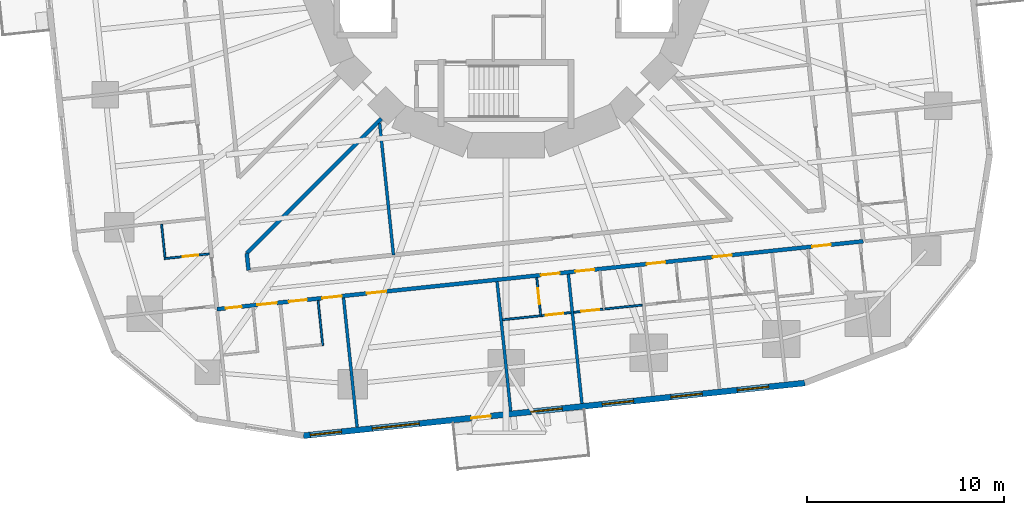
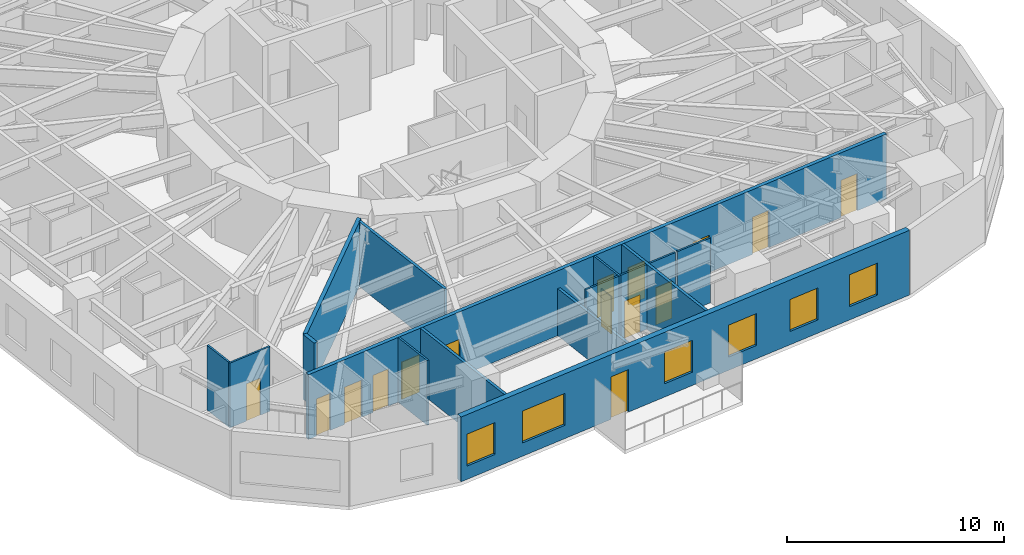
# One storey, part 5 of 13: 16 walls, 15 doors, 6 windows, 21 openings.
"""IFC4 building model written with IfcOpenShell, lengths in metres."""

from ifc_helpers import new_model, si_unit, direction, frame, frame_2d, origin, place, context, subcontext, project, spatial, rectangle, extrude, material, layer, layer_set, type_object, element, fill, save


model = new_model("IFC4")

# Units and contexts
model_context = context("Model", 3, precision=1e-05, world=origin(), true_north=direction((0.0, 1.0)))
body_context = subcontext(model_context, "Body", "Model", "MODEL_VIEW")
ifc_project = project(units=[si_unit("LENGTHUNIT", "METRE"), si_unit("AREAUNIT", "SQUARE_METRE"), si_unit("VOLUMEUNIT", "CUBIC_METRE"), si_unit("PLANEANGLEUNIT", "RADIAN"), si_unit("MASSUNIT", "GRAM", prefix="KILO")], contexts=[model_context])

# Site, building, storey
site_placement = place(None, origin())
site = spatial("IfcSite", under=ifc_project, at=site_placement, CompositionType="ELEMENT")
building_placement = place(site_placement, origin())
building = spatial("IfcBuilding", under=site, at=building_placement, Name="Nakasero Lantern House", CompositionType="ELEMENT")
storey_placement = place(building_placement, frame((0.0, 0.0, 75.89990234375)))
storey = spatial("IfcBuildingStorey", under=building, at=storey_placement, Name="L18", CompositionType="ELEMENT", Elevation=75.89990234375)

# Wall, openings, doors
ifc_material_1 = material(Name="Blockwork", Category="masonry")
ifc_layer_1 = layer(ifc_material_1, 0.199951171875)
ifc_layer_set_1 = layer_set([ifc_layer_1], Name="Corridor wall 200")
wall_type_1 = type_object("IfcWallType", Name="Corridor wall 200", PredefinedType="PARTITIONING", material=ifc_layer_set_1)
wall_1_placement = place(storey_placement, frame((-14.684814453125, -18.13427734375, 0.0), z_axis=(0.0, 0.0, 1.0), x_axis=(0.994521777723, 0.10452958258, 0.0)))
wall_1 = element("IfcWall", 1, at=wall_1_placement, inside=storey, type_object=wall_type_1, Name="Corridor wall L18 CW3", PredefinedType="PARTITIONING", context=body_context, shape_type="SweptSolid", body=[
    extrude(rectangle(XDim=32.999755859375, YDim=0.199951171875, at=frame_2d((16.5, 0.0))), origin(), (0.0, 0.0, 1.0), 3.650146484375),
])
opening_1_placement = place(wall_1_placement, frame((0.449951171875, 0.0, 0.0)))
opening_1 = element("IfcOpeningElement", 2, at=opening_1_placement, cuts=wall_1, Name="Opening D15", PredefinedType="OPENING", context=body_context, shape_type="SweptSolid", body=[
    extrude(rectangle(XDim=0.800048828125, YDim=2.10009765625, at=frame_2d((0.39990234375, 1.050048828125))), frame((0.0, 0.119873046875, 0.0), z_axis=(0.0, -1.0, 0.0), x_axis=(1.0, 0.0, 0.0)), (0.0, 0.0, 1.0), 0.239990234375),
])
opening_2_placement = place(wall_1_placement, frame((2.050048828125, 0.0, 0.0)))
opening_2 = element("IfcOpeningElement", 3, at=opening_2_placement, cuts=wall_1, Name="Opening D07", PredefinedType="OPENING", context=body_context, shape_type="SweptSolid", body=[
    extrude(rectangle(XDim=1.0, YDim=2.10009765625, at=frame_2d((0.5, 1.050048828125))), frame((0.0, 0.119873046875, 0.0), z_axis=(0.0, -1.0, 0.0), x_axis=(1.0, 0.0, 0.0)), (0.0, 0.0, 1.0), 0.239990234375),
])
opening_3_placement = place(wall_1_placement, frame((3.67529296875, 0.0, 0.0)))
opening_3 = element("IfcOpeningElement", 4, at=opening_3_placement, cuts=wall_1, Name="Opening D16", PredefinedType="OPENING", context=body_context, shape_type="SweptSolid", body=[
    extrude(rectangle(XDim=0.89990234375, YDim=2.10009765625, at=frame_2d((0.449951171875, 1.050048828125))), frame((0.0, 0.119873046875, 0.0), z_axis=(0.0, -1.0, 0.0), x_axis=(1.0, 0.0, 0.0)), (0.0, 0.0, 1.0), 0.239990234375),
])
opening_4_placement = place(wall_1_placement, frame((5.375244140625, 0.0, 0.0)))
opening_4 = element("IfcOpeningElement", 5, at=opening_4_placement, cuts=wall_1, Name="Opening D07", PredefinedType="OPENING", context=body_context, shape_type="SweptSolid", body=[
    extrude(rectangle(XDim=1.0, YDim=2.10009765625, at=frame_2d((0.5, 1.050048828125))), frame((0.0, 0.119873046875, 0.0), z_axis=(0.0, -1.0, 0.0), x_axis=(1.0, 0.0, 0.0)), (0.0, 0.0, 1.0), 0.239990234375),
])
opening_5_placement = place(wall_1_placement, frame((16.542724609375, 0.0, 0.0)))
opening_5 = element("IfcOpeningElement", 6, at=opening_5_placement, cuts=wall_1, Name="Opening D01", PredefinedType="OPENING", context=body_context, shape_type="SweptSolid", body=[
    extrude(rectangle(XDim=0.949951171875, YDim=2.10009765625, at=frame_2d((0.47509765625, 1.050048828125))), frame((0.0, 0.119873046875, 0.0), z_axis=(0.0, -1.0, 0.0), x_axis=(1.0, 0.0, 0.0)), (0.0, 0.0, 1.0), 0.239990234375),
])
opening_6_placement = place(wall_1_placement, frame((18.306396484375, 0.0, 0.0)))
opening_6 = element("IfcOpeningElement", 7, at=opening_6_placement, cuts=wall_1, Name="Opening D01", PredefinedType="OPENING", context=body_context, shape_type="SweptSolid", body=[
    extrude(rectangle(XDim=0.949951171875, YDim=2.10009765625, at=frame_2d((0.47509765625, 1.050048828125))), frame((0.0, 0.119873046875, 0.0), z_axis=(0.0, -1.0, 0.0), x_axis=(1.0, 0.0, 0.0)), (0.0, 0.0, 1.0), 0.239990234375),
])
opening_7_placement = place(wall_1_placement, frame((21.945068359375, 0.0, 0.0)))
opening_7 = element("IfcOpeningElement", 8, at=opening_7_placement, cuts=wall_1, Name="Opening D01", PredefinedType="OPENING", context=body_context, shape_type="SweptSolid", body=[
    extrude(rectangle(XDim=0.949951171875, YDim=2.10009765625, at=frame_2d((0.47509765625, 1.050048828125))), frame((0.0, 0.119873046875, 0.0), z_axis=(0.0, -1.0, 0.0), x_axis=(1.0, 0.0, 0.0)), (0.0, 0.0, 1.0), 0.239990234375),
])
opening_8_placement = place(wall_1_placement, frame((25.33056640625, 0.0, 0.0)))
opening_8 = element("IfcOpeningElement", 9, at=opening_8_placement, cuts=wall_1, Name="Opening D01", PredefinedType="OPENING", context=body_context, shape_type="SweptSolid", body=[
    extrude(rectangle(XDim=0.949951171875, YDim=2.10009765625, at=frame_2d((0.47509765625, 1.050048828125))), frame((0.0, 0.119873046875, 0.0), z_axis=(0.0, -1.0, 0.0), x_axis=(1.0, 0.0, 0.0)), (0.0, 0.0, 1.0), 0.239990234375),
])
opening_9_placement = place(wall_1_placement, frame((30.39111328125, 0.0, 0.0)))
opening_9 = element("IfcOpeningElement", 10, at=opening_9_placement, cuts=wall_1, Name="Opening D01", PredefinedType="OPENING", context=body_context, shape_type="SweptSolid", body=[
    extrude(rectangle(XDim=0.949951171875, YDim=2.10009765625, at=frame_2d((0.47509765625, 1.050048828125))), frame((0.0, 0.119873046875, 0.0), z_axis=(0.0, -1.0, 0.0), x_axis=(1.0, 0.0, 0.0)), (0.0, 0.0, 1.0), 0.239990234375),
])
opening_10_placement = place(wall_1_placement, frame((7.650634765625, 0.0, 0.0)))
opening_10 = element("IfcOpeningElement", 11, at=opening_10_placement, cuts=wall_1, Name="Opening D03", PredefinedType="OPENING", context=body_context, shape_type="SweptSolid", body=[
    extrude(rectangle(XDim=1.0, YDim=2.10009765625, at=frame_2d((0.5, 1.050048828125))), frame((0.0, 0.119873046875, 0.0), z_axis=(0.0, -1.0, 0.0), x_axis=(1.0, 0.0, 0.0)), (0.0, 0.0, 1.0), 0.239990234375),
])
ifc_material_2 = material(Name="Timber C24", Category="wood")
door_type_1 = type_object("IfcDoorType", Name="Accessible WC door 900", OperationType="SINGLE_SWING_RIGHT", PredefinedType="DOOR", material=ifc_material_2)
door_1_placement = place(opening_3_placement, origin())
door_1 = element("IfcDoor", 12, at=door_1_placement, inside=storey, type_object=door_type_1, Name="Door L18 DS3-01", OperationType="SINGLE_SWING_LEFT", OverallHeight=2.10009765625, OverallWidth=0.89990234375, PredefinedType="DOOR", context=body_context, shape_type="SweptSolid", body=[
    extrude(rectangle(XDim=0.89990234375, YDim=2.10009765625, at=frame_2d((0.449951171875, 1.050048828125))), frame((0.0, 0.02490234375, 0.0), z_axis=(0.0, -1.0, 0.0), x_axis=(1.0, 0.0, 0.0)), (0.0, 0.0, 1.0), 0.050048828125),
])
fill(opening_3, door_1)
ifc_material_3 = material(Name="Timber C24", Category="wood")
door_type_2 = type_object("IfcDoorType", Name="Bedroom door FD30S 950", OperationType="SINGLE_SWING_LEFT", PredefinedType="DOOR", material=ifc_material_3)
door_2_placement = place(opening_5_placement, origin())
door_2 = element("IfcDoor", 13, at=door_2_placement, inside=storey, type_object=door_type_2, Name="Door L18 D3-04", OperationType="SINGLE_SWING_RIGHT", OverallHeight=2.10009765625, OverallWidth=0.949951171875, PredefinedType="DOOR", context=body_context, shape_type="SweptSolid", body=[
    extrude(rectangle(XDim=0.949951171875, YDim=2.10009765625, at=frame_2d((0.47509765625, 1.050048828125))), frame((0.0, 0.02490234375, 0.0), z_axis=(0.0, -1.0, 0.0), x_axis=(1.0, 0.0, 0.0)), (0.0, 0.0, 1.0), 0.050048828125),
])
fill(opening_5, door_2)
door_3_placement = place(opening_6_placement, origin())
door_3 = element("IfcDoor", 14, at=door_3_placement, inside=storey, type_object=door_type_2, Name="Door L18 D3-05", OperationType="SINGLE_SWING_RIGHT", OverallHeight=2.10009765625, OverallWidth=0.949951171875, PredefinedType="DOOR", context=body_context, shape_type="SweptSolid", body=[
    extrude(rectangle(XDim=0.949951171875, YDim=2.10009765625, at=frame_2d((0.47509765625, 1.050048828125))), frame((0.0, 0.02490234375, 0.0), z_axis=(0.0, -1.0, 0.0), x_axis=(1.0, 0.0, 0.0)), (0.0, 0.0, 1.0), 0.050048828125),
])
fill(opening_6, door_3)
door_4_placement = place(opening_7_placement, origin())
door_4 = element("IfcDoor", 15, at=door_4_placement, inside=storey, type_object=door_type_2, Name="Door L18 D3-06", OperationType="SINGLE_SWING_RIGHT", OverallHeight=2.10009765625, OverallWidth=0.949951171875, PredefinedType="DOOR", context=body_context, shape_type="SweptSolid", body=[
    extrude(rectangle(XDim=0.949951171875, YDim=2.10009765625, at=frame_2d((0.47509765625, 1.050048828125))), frame((0.0, 0.02490234375, 0.0), z_axis=(0.0, -1.0, 0.0), x_axis=(1.0, 0.0, 0.0)), (0.0, 0.0, 1.0), 0.050048828125),
])
fill(opening_7, door_4)
door_5_placement = place(opening_8_placement, origin())
door_5 = element("IfcDoor", 16, at=door_5_placement, inside=storey, type_object=door_type_2, Name="Door L18 D3-07", OperationType="SINGLE_SWING_RIGHT", OverallHeight=2.10009765625, OverallWidth=0.949951171875, PredefinedType="DOOR", context=body_context, shape_type="SweptSolid", body=[
    extrude(rectangle(XDim=0.949951171875, YDim=2.10009765625, at=frame_2d((0.47509765625, 1.050048828125))), frame((0.0, 0.02490234375, 0.0), z_axis=(0.0, -1.0, 0.0), x_axis=(1.0, 0.0, 0.0)), (0.0, 0.0, 1.0), 0.050048828125),
])
fill(opening_8, door_5)
door_6_placement = place(opening_9_placement, origin())
door_6 = element("IfcDoor", 17, at=door_6_placement, inside=storey, type_object=door_type_2, Name="Door L18 D3-08", OperationType="SINGLE_SWING_RIGHT", OverallHeight=2.10009765625, OverallWidth=0.949951171875, PredefinedType="DOOR", context=body_context, shape_type="SweptSolid", body=[
    extrude(rectangle(XDim=0.949951171875, YDim=2.10009765625, at=frame_2d((0.47509765625, 1.050048828125))), frame((0.0, 0.02490234375, 0.0), z_axis=(0.0, -1.0, 0.0), x_axis=(1.0, 0.0, 0.0)), (0.0, 0.0, 1.0), 0.050048828125),
])
fill(opening_9, door_6)
ifc_material_4 = material(Name="Timber C24", Category="wood")
door_type_3 = type_object("IfcDoorType", Name="Cleaner's store door FD30S 800", OperationType="SINGLE_SWING_LEFT", PredefinedType="DOOR", material=ifc_material_4)
door_7_placement = place(opening_1_placement, origin())
door_7 = element("IfcDoor", 18, at=door_7_placement, inside=storey, type_object=door_type_3, Name="Door L18 DS3-00", OperationType="SINGLE_SWING_LEFT", OverallHeight=2.10009765625, OverallWidth=0.800048828125, PredefinedType="DOOR", context=body_context, shape_type="SweptSolid", body=[
    extrude(rectangle(XDim=0.800048828125, YDim=2.10009765625, at=frame_2d((0.39990234375, 1.050048828125))), frame((0.0, 0.02490234375, 0.0), z_axis=(0.0, -1.0, 0.0), x_axis=(1.0, 0.0, 0.0)), (0.0, 0.0, 1.0), 0.050048828125),
])
fill(opening_1, door_7)
ifc_material_5 = material(Name="Timber C24", Category="wood")
door_type_4 = type_object("IfcDoorType", Name="Lounge door FD30S 1000", OperationType="SINGLE_SWING_LEFT", PredefinedType="DOOR", material=ifc_material_5)
door_8_placement = place(opening_10_placement, origin())
door_8 = element("IfcDoor", 19, at=door_8_placement, inside=storey, type_object=door_type_4, Name="Door L18 DK3", OperationType="SINGLE_SWING_LEFT", OverallHeight=2.10009765625, OverallWidth=1.0, PredefinedType="DOOR", context=body_context, shape_type="SweptSolid", body=[
    extrude(rectangle(XDim=1.0, YDim=2.10009765625, at=frame_2d((0.5, 1.050048828125))), frame((0.0, 0.02490234375, 0.0), z_axis=(0.0, -1.0, 0.0), x_axis=(1.0, 0.0, 0.0)), (0.0, 0.0, 1.0), 0.050048828125),
])
fill(opening_10, door_8)
ifc_material_6 = material(Name="Timber C24", Category="wood")
door_type_5 = type_object("IfcDoorType", Name="Room door FD30S 1000", OperationType="SINGLE_SWING_LEFT", PredefinedType="DOOR", material=ifc_material_6)
door_9_placement = place(opening_2_placement, origin())
door_9 = element("IfcDoor", 20, at=door_9_placement, inside=storey, type_object=door_type_5, Name="Door L18 D3-00", OperationType="SINGLE_SWING_LEFT", OverallHeight=2.10009765625, OverallWidth=1.0, PredefinedType="DOOR", context=body_context, shape_type="SweptSolid", body=[
    extrude(rectangle(XDim=1.0, YDim=2.10009765625, at=frame_2d((0.5, 1.050048828125))), frame((0.0, 0.02490234375, 0.0), z_axis=(0.0, -1.0, 0.0), x_axis=(1.0, 0.0, 0.0)), (0.0, 0.0, 1.0), 0.050048828125),
])
fill(opening_2, door_9)
door_10_placement = place(opening_4_placement, origin())
door_10 = element("IfcDoor", 21, at=door_10_placement, inside=storey, type_object=door_type_5, Name="Door L18 D3-01", OperationType="SINGLE_SWING_LEFT", OverallHeight=2.10009765625, OverallWidth=1.0, PredefinedType="DOOR", context=body_context, shape_type="SweptSolid", body=[
    extrude(rectangle(XDim=1.0, YDim=2.10009765625, at=frame_2d((0.5, 1.050048828125))), frame((0.0, 0.02490234375, 0.0), z_axis=(0.0, -1.0, 0.0), x_axis=(1.0, 0.0, 0.0)), (0.0, 0.0, 1.0), 0.050048828125),
])
fill(opening_4, door_10)

# Walls
wall_2_placement = place(storey_placement, frame((-6.334228515625, -8.45556640625, 0.0), z_axis=(0.0, 0.0, 1.0), x_axis=(-0.707106781187, -0.707106781187, 0.0)))
element("IfcWall", 22, at=wall_2_placement, inside=storey, type_object=wall_type_1, Name="Corridor wall L18 PS10a", PredefinedType="PARTITIONING", context=body_context, shape_type="SweptSolid", body=[
    extrude(rectangle(XDim=9.671875, YDim=0.199951171875, at=frame_2d((4.8359375, 0.0))), origin(), (0.0, 0.0, 1.0), 3.650146484375),
])
wall_3_placement = place(storey_placement, frame((-13.0830078125, -16.156005859375, 0.0), z_axis=(0.0, 0.0, 1.0), x_axis=(-0.104303245505, 0.994545540927, 0.0)))
element("IfcWall", 23, at=wall_3_placement, inside=storey, type_object=wall_type_1, Name="Corridor wall L18 IW3-0R0", PredefinedType="PARTITIONING", context=body_context, shape_type="SweptSolid", body=[
    extrude(rectangle(XDim=0.865966796875, YDim=0.199951171875, at=frame_2d((0.43310546875, 0.0))), origin(), (0.0, 0.0, 1.0), 3.650146484375),
])

# Wall, opening, door
ifc_material_7 = material(Name="Blockwork", Category="masonry")
ifc_layer_2 = layer(ifc_material_7, 0.10009765625)
ifc_layer_set_2 = layer_set([ifc_layer_2], Name="En-suite wall 100")
wall_type_2 = type_object("IfcWallType", Name="En-suite wall 100", PredefinedType="PARTITIONING", material=ifc_layer_set_2)
wall_4_placement = place(storey_placement, frame((-15.08056640625, -15.326416015625, 0.0), z_axis=(0.0, 0.0, 1.0), x_axis=(-0.994518822602, -0.104557694553, 0.0)))
wall_4 = element("IfcWall", 24, at=wall_4_placement, inside=storey, type_object=wall_type_2, Name="En-suite wall L18 ES2-08", PredefinedType="PARTITIONING", context=body_context, shape_type="SweptSolid", body=[
    extrude(rectangle(XDim=2.300048828125, YDim=0.10009765625, at=frame_2d((1.14990234375, 0.0))), origin(), (0.0, 0.0, 1.0), 3.650146484375),
])
opening_11_placement = place(wall_4_placement, frame((0.550048828125, 0.0, 0.0)))
opening_11 = element("IfcOpeningElement", 25, at=opening_11_placement, cuts=wall_4, Name="Opening D02", PredefinedType="OPENING", context=body_context, shape_type="SweptSolid", body=[
    extrude(rectangle(XDim=0.800048828125, YDim=2.10009765625, at=frame_2d((0.39990234375, 1.050048828125))), frame((0.0, 0.070068359375, 0.0), z_axis=(0.0, -1.0, 0.0), x_axis=(1.0, 0.0, 0.0)), (0.0, 0.0, 1.0), 0.14013671875),
])
ifc_material_8 = material(Name="Timber C24", Category="wood")
door_type_6 = type_object("IfcDoorType", Name="En-suite door 800", OperationType="SINGLE_SWING_RIGHT", PredefinedType="DOOR", material=ifc_material_8)
door_11_placement = place(opening_11_placement, origin())
door_11 = element("IfcDoor", 26, at=door_11_placement, inside=storey, type_object=door_type_6, Name="Door L18 DE2-08", OperationType="SINGLE_SWING_LEFT", OverallHeight=2.10009765625, OverallWidth=0.800048828125, PredefinedType="DOOR", context=body_context, shape_type="SweptSolid", body=[
    extrude(rectangle(XDim=0.800048828125, YDim=2.10009765625, at=frame_2d((0.39990234375, 1.050048828125))), frame((0.0, 0.02490234375, 0.0), z_axis=(0.0, -1.0, 0.0), x_axis=(1.0, 0.0, 0.0)), (0.0, 0.0, 1.0), 0.050048828125),
])
fill(opening_11, door_11)

# Walls
wall_5_placement = place(storey_placement, frame((-17.501220703125, -13.8212890625, 0.0), z_axis=(0.0, 0.0, 1.0), x_axis=(0.104550220202, -0.994519608382, 0.0)))
element("IfcWall", 27, at=wall_5_placement, inside=storey, type_object=wall_type_2, Name="En-suite wall L18 EE2-08", PredefinedType="PARTITIONING", context=body_context, shape_type="SweptSolid", body=[
    extrude(rectangle(XDim=1.699951171875, YDim=0.10009765625, at=frame_2d((0.85009765625, 0.0))), origin(), (0.0, 0.0, 1.0), 3.650146484375),
])
wall_6_placement = place(storey_placement, frame((-9.55224609375, -17.6953125, 0.0), z_axis=(0.0, 0.0, 1.0), x_axis=(0.104441677364, -0.994531013106, 0.0)))
element("IfcWall", 28, at=wall_6_placement, inside=storey, type_object=wall_type_2, Name="En-suite wall L18 ES3-01", PredefinedType="PARTITIONING", context=body_context, shape_type="SweptSolid", body=[
    extrude(rectangle(XDim=2.30029296875, YDim=0.10009765625, at=frame_2d((1.150146484375, 0.0))), origin(), (0.0, 0.0, 1.0), 3.650146484375),
])

# Wall, opening, door
wall_7_placement = place(storey_placement, frame((1.553955078125, -16.528076171875, 0.0), z_axis=(0.0, 0.0, 1.0), x_axis=(0.104494148666, -0.99452550138, 0.0)))
wall_7 = element("IfcWall", 29, at=wall_7_placement, inside=storey, type_object=wall_type_2, Name="En-suite wall L18 ES3-04", PredefinedType="PARTITIONING", context=body_context, shape_type="SweptSolid", body=[
    extrude(rectangle(XDim=2.0, YDim=0.10009765625, at=frame_2d((1.0, 0.0))), origin(), (0.0, 0.0, 1.0), 3.650146484375),
])
opening_12_placement = place(wall_7_placement, frame((0.550048828125, 0.0, 0.0)))
opening_12 = element("IfcOpeningElement", 30, at=opening_12_placement, cuts=wall_7, Name="Opening D02", PredefinedType="OPENING", context=body_context, shape_type="SweptSolid", body=[
    extrude(rectangle(XDim=0.800048828125, YDim=2.10009765625, at=frame_2d((0.39990234375, 1.050048828125))), frame((0.0, 0.070068359375, 0.0), z_axis=(0.0, -1.0, 0.0), x_axis=(1.0, 0.0, 0.0)), (0.0, 0.0, 1.0), 0.14013671875),
])
door_12_placement = place(opening_12_placement, origin())
door_12 = element("IfcDoor", 31, at=door_12_placement, inside=storey, type_object=door_type_6, Name="Door L18 DE3-04", OperationType="SINGLE_SWING_LEFT", OverallHeight=2.10009765625, OverallWidth=0.800048828125, PredefinedType="DOOR", context=body_context, shape_type="SweptSolid", body=[
    extrude(rectangle(XDim=0.800048828125, YDim=2.10009765625, at=frame_2d((0.39990234375, 1.050048828125))), frame((0.0, 0.02490234375, 0.0), z_axis=(0.0, -1.0, 0.0), x_axis=(1.0, 0.0, 0.0)), (0.0, 0.0, 1.0), 0.050048828125),
])
fill(opening_12, door_12)

# Walls
wall_8_placement = place(storey_placement, frame((-0.181396484375, -18.671142578125, 0.0), z_axis=(0.0, 0.0, 1.0), x_axis=(0.994527260141, 0.104477408256, 0.0)))
element("IfcWall", 32, at=wall_8_placement, inside=storey, type_object=wall_type_2, Name="En-suite wall L18 EE3-04", PredefinedType="PARTITIONING", context=body_context, shape_type="SweptSolid", body=[
    extrude(rectangle(XDim=1.89990234375, YDim=0.10009765625, at=frame_2d((0.949951171875, 0.0))), origin(), (0.0, 0.0, 1.0), 3.650146484375),
])
wall_9_placement = place(storey_placement, frame((5.01708984375, -18.124755859375, 0.0), z_axis=(0.0, 0.0, 1.0), x_axis=(0.994528662611, 0.104464057197, 0.0)))
element("IfcWall", 33, at=wall_9_placement, inside=storey, type_object=wall_type_2, Name="En-suite wall L18 EE3-05", PredefinedType="PARTITIONING", context=body_context, shape_type="SweptSolid", body=[
    extrude(rectangle(XDim=1.900146484375, YDim=0.10009765625, at=frame_2d((0.9501953125, 0.0))), origin(), (0.0, 0.0, 1.0), 3.650146484375),
])

# Wall, opening, door
wall_10_placement = place(storey_placement, frame((1.8076171875, -18.462158203125, 0.0), z_axis=(0.0, 0.0, 1.0), x_axis=(0.994527896493, 0.104471350605, 0.0)))
wall_10 = element("IfcWall", 34, at=wall_10_placement, inside=storey, type_object=wall_type_2, Name="En-suite wall L18 EL3-04", PredefinedType="PARTITIONING", context=body_context, shape_type="SweptSolid", body=[
    extrude(rectangle(XDim=1.488525390625, YDim=0.10009765625, at=frame_2d((0.744140625, 0.0))), origin(), (0.0, 0.0, 1.0), 3.650146484375),
])
opening_13_placement = place(wall_10_placement, frame((0.199951171875, 0.0, 0.0)))
opening_13 = element("IfcOpeningElement", 35, at=opening_13_placement, cuts=wall_10, Name="Opening D17", PredefinedType="OPENING", context=body_context, shape_type="SweptSolid", body=[
    extrude(rectangle(XDim=0.89990234375, YDim=2.10009765625, at=frame_2d((0.449951171875, 1.050048828125))), frame((0.0, 0.070068359375, 0.0), z_axis=(0.0, -1.0, 0.0), x_axis=(1.0, 0.0, 0.0)), (0.0, 0.0, 1.0), 0.14013671875),
])
ifc_material_9 = material(Name="Timber C24", Category="wood")
door_type_7 = type_object("IfcDoorType", Name="Bedroom door FD30S 900", OperationType="SINGLE_SWING_LEFT", PredefinedType="DOOR", material=ifc_material_9)
door_13_placement = place(opening_13_placement, origin())
door_13 = element("IfcDoor", 36, at=door_13_placement, inside=storey, type_object=door_type_7, Name="Door L18 DL3-04", OperationType="SINGLE_SWING_LEFT", OverallHeight=2.10009765625, OverallWidth=0.89990234375, PredefinedType="DOOR", context=body_context, shape_type="SweptSolid", body=[
    extrude(rectangle(XDim=0.89990234375, YDim=2.10009765625, at=frame_2d((0.449951171875, 1.050048828125))), frame((0.0, 0.02490234375, 0.0), z_axis=(0.0, -1.0, 0.0), x_axis=(1.0, 0.0, 0.0)), (0.0, 0.0, 1.0), 0.050048828125),
])
fill(opening_13, door_13)

wall_11_placement = place(storey_placement, frame((3.437255859375, -18.291015625, 0.0), z_axis=(0.0, 0.0, 1.0), x_axis=(0.994510843464, 0.104633561697, 0.0)))
wall_11 = element("IfcWall", 37, at=wall_11_placement, inside=storey, type_object=wall_type_2, Name="En-suite wall L18 EL3-05", PredefinedType="PARTITIONING", context=body_context, shape_type="SweptSolid", body=[
    extrude(rectangle(XDim=1.488525390625, YDim=0.10009765625, at=frame_2d((0.744140625, 0.0))), origin(), (0.0, 0.0, 1.0), 3.650146484375),
])
opening_14_placement = place(wall_11_placement, frame((0.388671875, 0.0, 0.0)))
opening_14 = element("IfcOpeningElement", 38, at=opening_14_placement, cuts=wall_11, Name="Opening D17", PredefinedType="OPENING", context=body_context, shape_type="SweptSolid", body=[
    extrude(rectangle(XDim=0.89990234375, YDim=2.10009765625, at=frame_2d((0.449951171875, 1.050048828125))), frame((0.0, 0.070068359375, 0.0), z_axis=(0.0, -1.0, 0.0), x_axis=(1.0, 0.0, 0.0)), (0.0, 0.0, 1.0), 0.14013671875),
])
door_14_placement = place(opening_14_placement, origin())
door_14 = element("IfcDoor", 39, at=door_14_placement, inside=storey, type_object=door_type_7, Name="Door L18 DL3-05", OperationType="SINGLE_SWING_RIGHT", OverallHeight=2.10009765625, OverallWidth=0.89990234375, PredefinedType="DOOR", context=body_context, shape_type="SweptSolid", body=[
    extrude(rectangle(XDim=0.89990234375, YDim=2.10009765625, at=frame_2d((0.449951171875, 1.050048828125))), frame((0.0, 0.02490234375, 0.0), z_axis=(0.0, -1.0, 0.0), x_axis=(1.0, 0.0, 0.0)), (0.0, 0.0, 1.0), 0.050048828125),
])
fill(opening_14, door_14)

# Wall, openings, door, windows
ifc_material_10 = material(Name="Aluminium rainscreen on blockwork", Category="masonry")
ifc_layer_3 = layer(ifc_material_10, 0.300048828125)
ifc_layer_set_3 = layer_set([ifc_layer_3], Name="Facade wall 300")
wall_type_3 = type_object("IfcWallType", Name="Facade wall 300", PredefinedType="SOLIDWALL", material=ifc_layer_set_3)
wall_12_placement = place(storey_placement, frame((-10.2890625, -24.56005859375, 0.0), z_axis=(0.0, 0.0, 1.0), x_axis=(0.994521483895, 0.104532378096, 0.0)))
wall_12 = element("IfcWall", 40, at=wall_12_placement, inside=storey, type_object=wall_type_3, Name="Facade wall L18 FW3S", PredefinedType="SOLIDWALL", context=body_context, shape_type="SweptSolid", body=[
    extrude(rectangle(XDim=25.599853515625, YDim=0.300048828125, at=frame_2d((12.7998046875, 0.0))), origin(), (0.0, 0.0, 1.0), 3.650146484375),
])
opening_15_placement = place(wall_12_placement, frame((0.337890625, 0.0, 0.75)))
opening_15 = element("IfcOpeningElement", 41, at=opening_15_placement, cuts=wall_12, Name="Opening W01", PredefinedType="OPENING", context=body_context, shape_type="SweptSolid", body=[
    extrude(rectangle(XDim=1.60009765625, YDim=1.800048828125, at=frame_2d((0.800048828125, 0.89990234375))), frame((0.0, 0.169921875, 0.0), z_axis=(0.0, -1.0, 0.0), x_axis=(1.0, 0.0, 0.0)), (0.0, 0.0, 1.0), 0.340087890625),
])
opening_16_placement = place(wall_12_placement, frame((11.612060546875, 0.0, 0.75)))
opening_16 = element("IfcOpeningElement", 42, at=opening_16_placement, cuts=wall_12, Name="Opening W01", PredefinedType="OPENING", context=body_context, shape_type="SweptSolid", body=[
    extrude(rectangle(XDim=1.60009765625, YDim=1.800048828125, at=frame_2d((0.800048828125, 0.89990234375))), frame((0.0, 0.169921875, 0.0), z_axis=(0.0, -1.0, 0.0), x_axis=(1.0, 0.0, 0.0)), (0.0, 0.0, 1.0), 0.340087890625),
])
opening_17_placement = place(wall_12_placement, frame((15.250732421875, 0.0, 0.75)))
opening_17 = element("IfcOpeningElement", 43, at=opening_17_placement, cuts=wall_12, Name="Opening W01", PredefinedType="OPENING", context=body_context, shape_type="SweptSolid", body=[
    extrude(rectangle(XDim=1.60009765625, YDim=1.800048828125, at=frame_2d((0.800048828125, 0.89990234375))), frame((0.0, 0.169921875, 0.0), z_axis=(0.0, -1.0, 0.0), x_axis=(1.0, 0.0, 0.0)), (0.0, 0.0, 1.0), 0.340087890625),
])
opening_18_placement = place(wall_12_placement, frame((18.7626953125, 0.0, 0.75)))
opening_18 = element("IfcOpeningElement", 44, at=opening_18_placement, cuts=wall_12, Name="Opening W01", PredefinedType="OPENING", context=body_context, shape_type="SweptSolid", body=[
    extrude(rectangle(XDim=1.60009765625, YDim=1.800048828125, at=frame_2d((0.800048828125, 0.89990234375))), frame((0.0, 0.169921875, 0.0), z_axis=(0.0, -1.0, 0.0), x_axis=(1.0, 0.0, 0.0)), (0.0, 0.0, 1.0), 0.340087890625),
])
opening_19_placement = place(wall_12_placement, frame((22.1484375, 0.0, 0.75)))
opening_19 = element("IfcOpeningElement", 45, at=opening_19_placement, cuts=wall_12, Name="Opening W01", PredefinedType="OPENING", context=body_context, shape_type="SweptSolid", body=[
    extrude(rectangle(XDim=1.60009765625, YDim=1.800048828125, at=frame_2d((0.800048828125, 0.89990234375))), frame((0.0, 0.169921875, 0.0), z_axis=(0.0, -1.0, 0.0), x_axis=(1.0, 0.0, 0.0)), (0.0, 0.0, 1.0), 0.340087890625),
])
opening_20_placement = place(wall_12_placement, frame((3.51123046875, 0.0, 0.75)))
opening_20 = element("IfcOpeningElement", 46, at=opening_20_placement, cuts=wall_12, Name="Opening W03", PredefinedType="OPENING", context=body_context, shape_type="SweptSolid", body=[
    extrude(rectangle(XDim=2.39990234375, YDim=1.800048828125, at=frame_2d((1.199951171875, 0.89990234375))), frame((0.0, 0.169921875, 0.0), z_axis=(0.0, -1.0, 0.0), x_axis=(1.0, 0.0, 0.0)), (0.0, 0.0, 1.0), 0.340087890625),
])
opening_21_placement = place(wall_12_placement, frame((8.558837890625, 0.0, 0.0)))
opening_21 = element("IfcOpeningElement", 47, at=opening_21_placement, cuts=wall_12, Name="Opening D04", PredefinedType="OPENING", context=body_context, shape_type="SweptSolid", body=[
    extrude(rectangle(XDim=1.0, YDim=2.39990234375, at=frame_2d((0.5, 1.199951171875))), frame((0.0, 0.169921875, 0.0), z_axis=(0.0, -1.0, 0.0), x_axis=(1.0, 0.0, 0.0)), (0.0, 0.0, 1.0), 0.340087890625),
])
ifc_material_11 = material(Name="Aluminium 6063-T6 and glass", Category="aluminium")
door_type_8 = type_object("IfcDoorType", Name="Balcony door 1000x2400", OperationType="SINGLE_SWING_RIGHT", PredefinedType="DOOR", material=ifc_material_11)
door_15_placement = place(opening_21_placement, origin())
door_15 = element("IfcDoor", 48, at=door_15_placement, inside=storey, type_object=door_type_8, Name="Balcony door L18 DB3", OperationType="SINGLE_SWING_RIGHT", OverallHeight=2.39990234375, OverallWidth=1.0, PredefinedType="DOOR", context=body_context, shape_type="SweptSolid", body=[
    extrude(rectangle(XDim=1.0, YDim=2.39990234375, at=frame_2d((0.5, 1.199951171875))), frame((0.0, 0.02490234375, 0.0), z_axis=(0.0, -1.0, 0.0), x_axis=(1.0, 0.0, 0.0)), (0.0, 0.0, 1.0), 0.050048828125),
])
fill(opening_21, door_15)
ifc_material_12 = material(Name="Aluminium 6063-T6 and glass", Category="aluminium")
window_type_1 = type_object("IfcWindowType", Name="Bedroom window 1600x1800", PartitioningType="SINGLE_PANEL", PredefinedType="WINDOW", material=ifc_material_12)
window_1_placement = place(opening_15_placement, origin())
window_1 = element("IfcWindow", 49, at=window_1_placement, inside=storey, type_object=window_type_1, Name="Window L18 WN3-01", OverallHeight=1.800048828125, OverallWidth=1.60009765625, PartitioningType="SINGLE_PANEL", PredefinedType="WINDOW", context=body_context, shape_type="SweptSolid", body=[
    extrude(rectangle(XDim=1.60009765625, YDim=1.800048828125, at=frame_2d((0.800048828125, 0.89990234375))), frame((0.0, 0.030029296875, 0.0), z_axis=(0.0, -1.0, 0.0), x_axis=(1.0, 0.0, 0.0)), (0.0, 0.0, 1.0), 0.06005859375),
])
fill(opening_15, window_1)
window_2_placement = place(opening_16_placement, origin())
window_2 = element("IfcWindow", 50, at=window_2_placement, inside=storey, type_object=window_type_1, Name="Window L18 WN3-04", OverallHeight=1.800048828125, OverallWidth=1.60009765625, PartitioningType="SINGLE_PANEL", PredefinedType="WINDOW", context=body_context, shape_type="SweptSolid", body=[
    extrude(rectangle(XDim=1.60009765625, YDim=1.800048828125, at=frame_2d((0.800048828125, 0.89990234375))), frame((0.0, 0.030029296875, 0.0), z_axis=(0.0, -1.0, 0.0), x_axis=(1.0, 0.0, 0.0)), (0.0, 0.0, 1.0), 0.06005859375),
])
fill(opening_16, window_2)
window_3_placement = place(opening_17_placement, origin())
window_3 = element("IfcWindow", 51, at=window_3_placement, inside=storey, type_object=window_type_1, Name="Window L18 WN3-05", OverallHeight=1.800048828125, OverallWidth=1.60009765625, PartitioningType="SINGLE_PANEL", PredefinedType="WINDOW", context=body_context, shape_type="SweptSolid", body=[
    extrude(rectangle(XDim=1.60009765625, YDim=1.800048828125, at=frame_2d((0.800048828125, 0.89990234375))), frame((0.0, 0.030029296875, 0.0), z_axis=(0.0, -1.0, 0.0), x_axis=(1.0, 0.0, 0.0)), (0.0, 0.0, 1.0), 0.06005859375),
])
fill(opening_17, window_3)
window_4_placement = place(opening_18_placement, origin())
window_4 = element("IfcWindow", 52, at=window_4_placement, inside=storey, type_object=window_type_1, Name="Window L18 WN3-06", OverallHeight=1.800048828125, OverallWidth=1.60009765625, PartitioningType="SINGLE_PANEL", PredefinedType="WINDOW", context=body_context, shape_type="SweptSolid", body=[
    extrude(rectangle(XDim=1.60009765625, YDim=1.800048828125, at=frame_2d((0.800048828125, 0.89990234375))), frame((0.0, 0.030029296875, 0.0), z_axis=(0.0, -1.0, 0.0), x_axis=(1.0, 0.0, 0.0)), (0.0, 0.0, 1.0), 0.06005859375),
])
fill(opening_18, window_4)
window_5_placement = place(opening_19_placement, origin())
window_5 = element("IfcWindow", 53, at=window_5_placement, inside=storey, type_object=window_type_1, Name="Window L18 WN3-07", OverallHeight=1.800048828125, OverallWidth=1.60009765625, PartitioningType="SINGLE_PANEL", PredefinedType="WINDOW", context=body_context, shape_type="SweptSolid", body=[
    extrude(rectangle(XDim=1.60009765625, YDim=1.800048828125, at=frame_2d((0.800048828125, 0.89990234375))), frame((0.0, 0.030029296875, 0.0), z_axis=(0.0, -1.0, 0.0), x_axis=(1.0, 0.0, 0.0)), (0.0, 0.0, 1.0), 0.06005859375),
])
fill(opening_19, window_5)
ifc_material_13 = material(Name="Aluminium 6063-T6 and glass", Category="aluminium")
window_type_2 = type_object("IfcWindowType", Name="Lounge window 2400x1800", PartitioningType="SINGLE_PANEL", PredefinedType="WINDOW", material=ifc_material_13)
window_6_placement = place(opening_20_placement, origin())
window_6 = element("IfcWindow", 54, at=window_6_placement, inside=storey, type_object=window_type_2, Name="Window L18 WK3", OverallHeight=1.800048828125, OverallWidth=2.39990234375, PartitioningType="SINGLE_PANEL", PredefinedType="WINDOW", context=body_context, shape_type="SweptSolid", body=[
    extrude(rectangle(XDim=2.39990234375, YDim=1.800048828125, at=frame_2d((1.199951171875, 0.89990234375))), frame((0.0, 0.030029296875, 0.0), z_axis=(0.0, -1.0, 0.0), x_axis=(1.0, 0.0, 0.0)), (0.0, 0.0, 1.0), 0.06005859375),
])
fill(opening_20, window_6)

# Walls
ifc_material_14 = material(Name="Blockwork", Category="masonry")
ifc_layer_4 = layer(ifc_material_14, 0.14990234375)
ifc_layer_set_4 = layer_set([ifc_layer_4], Name="Party wall 150")
wall_type_4 = type_object("IfcWallType", Name="Party wall 150", PredefinedType="PARTITIONING", material=ifc_layer_set_4)
wall_13_placement = place(storey_placement, frame((-8.25927734375, -17.5595703125, 0.0), z_axis=(0.0, 0.0, 1.0), x_axis=(0.104538438287, -0.994520846901, 0.0)))
element("IfcWall", 55, at=wall_13_placement, inside=storey, type_object=wall_type_4, Name="Party wall L18 PW3-02", PredefinedType="PARTITIONING", context=body_context, shape_type="SweptSolid", body=[
    extrude(rectangle(XDim=6.599853515625, YDim=0.14990234375, at=frame_2d((3.2998046875, 0.0))), origin(), (0.0, 0.0, 1.0), 3.650146484375),
])
wall_14_placement = place(storey_placement, frame((-0.4599609375, -16.73974609375, 0.0), z_axis=(0.0, 0.0, 1.0), x_axis=(0.104534592565, -0.994521251134, 0.0)))
element("IfcWall", 56, at=wall_14_placement, inside=storey, type_object=wall_type_4, Name="Party wall L18 PW3-04", PredefinedType="PARTITIONING", context=body_context, shape_type="SweptSolid", body=[
    extrude(rectangle(XDim=6.60009765625, YDim=0.14990234375, at=frame_2d((3.300048828125, 0.0))), origin(), (0.0, 0.0, 1.0), 2.650146484375),
])
wall_15_placement = place(storey_placement, frame((3.15869140625, -16.359375, 0.0), z_axis=(0.0, 0.0, 1.0), x_axis=(0.104534592565, -0.994521251134, 0.0)))
element("IfcWall", 57, at=wall_15_placement, inside=storey, type_object=wall_type_4, Name="Party wall L18 PW3-05", PredefinedType="PARTITIONING", context=body_context, shape_type="SweptSolid", body=[
    extrude(rectangle(XDim=6.60009765625, YDim=0.14990234375, at=frame_2d((3.300048828125, 0.0))), origin(), (0.0, 0.0, 1.0), 3.650146484375),
])
wall_16_placement = place(storey_placement, frame((-6.425048828125, -8.687744140625, 0.0), z_axis=(0.0, 0.0, 1.0), x_axis=(0.104526194871, -0.994522133784, 0.0)))
element("IfcWall", 58, at=wall_16_placement, inside=storey, type_object=wall_type_4, Name="Party wall L18 IS2", PredefinedType="PARTITIONING", context=body_context, shape_type="SweptSolid", body=[
    extrude(rectangle(XDim=6.7314453125, YDim=0.14990234375, at=frame_2d((3.36572265625, 0.0))), origin(), (0.0, 0.0, 1.0), 3.650146484375),
])

save(model, "model.ifc")
